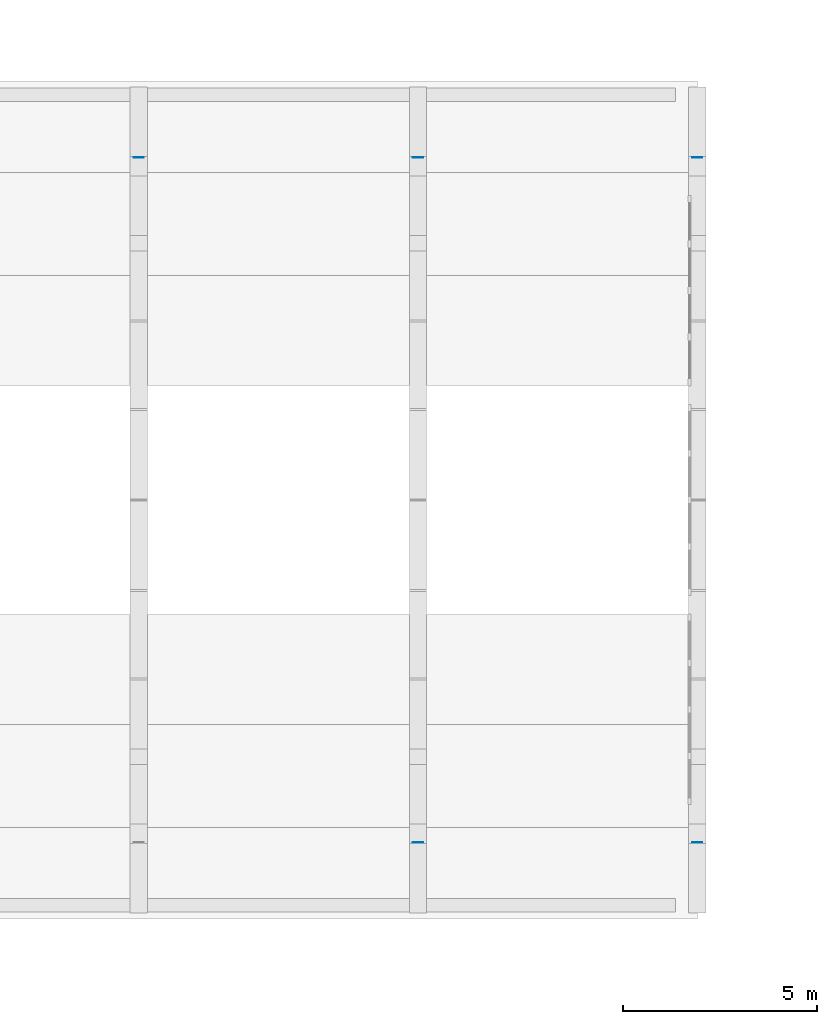
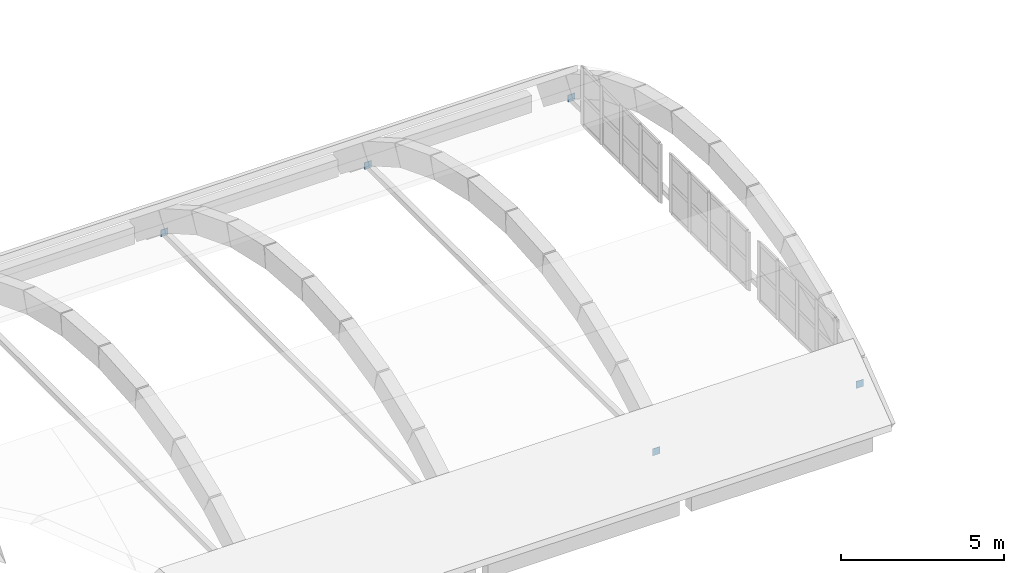
# One storey, part 56 of 73: 5 discrete accessories.
"""IFC4 building model written with IfcOpenShell, lengths in metres."""

from ifc_helpers import new_model, si_unit, derived_unit, direction, frame, origin, origin_2d, place, context, subcontext, project, spatial, rectangle, extrude, material, type_object, element, save


model = new_model("IFC4")

# Units and contexts
model_context = context("Model", 3, precision=1e-05, world=origin(), true_north=direction((0.0, 1.0)))
body_context = subcontext(model_context, "Body", "Model", "MODEL_VIEW")
ifc_project = project(units=[si_unit("LENGTHUNIT", "METRE"), si_unit("AREAUNIT", "SQUARE_METRE"), si_unit("VOLUMEUNIT", "CUBIC_METRE"), si_unit("PLANEANGLEUNIT", "RADIAN"), si_unit("MASSUNIT", "GRAM", prefix="KILO"), derived_unit("THERMALTRANSMITTANCEUNIT", [(si_unit("MASSUNIT", "GRAM", prefix="KILO"), 1), (si_unit("TIMEUNIT", "SECOND"), -3), (si_unit("THERMODYNAMICTEMPERATUREUNIT", "KELVIN"), -1)])], contexts=[model_context])

# Site, building, storey
site_placement = place(None, origin())
site = spatial("IfcSite", under=ifc_project, at=site_placement, CompositionType="ELEMENT")
building_placement = place(site_placement, origin())
building = spatial("IfcBuilding", under=site, at=building_placement, Name="Ochrekiln Boulevard Commons", CompositionType="ELEMENT")
storey_placement = place(building_placement, frame((0.0, 0.0, 8.574951171875)))
storey = spatial("IfcBuildingStorey", under=building, at=storey_placement, Name="L02", CompositionType="ELEMENT", Elevation=8.574951171875)

# Discrete accessories
ifc_material = material(Name="Steel A992 Grade 50", Category="steel")
discrete_accessory_type = type_object("IfcDiscreteAccessoryType", Name="ACC-GUS-PLATE", PredefinedType="BRACKET", material=ifc_material)
for number, where, z_axis, x_axis, name in (
    (1, (93.60009765625, 55.6298828125, 0.19482421875), (0.0, 0.0, 1.0), (1.0, 0.0, 0.0), "Vault Tie Rod 6N 20 mm Seal End-Cap Connection Plate"),
    (2, (100.800048828125, 37.969970703125, 0.19482421875), (0.0, 0.0, 1.0), (1.0, 0.0, 0.0), "Vault Tie Rod 7S 20 mm Seal End-Cap Connection Plate"),
    (3, (100.800048828125, 55.6298828125, 0.19482421875), (0.0, 0.0, 1.0), (1.0, 0.0, 0.0), "Vault Tie Rod 7N 20 mm Seal End-Cap Connection Plate"),
    (4, (108.0, 37.969970703125, 0.19482421875), (0.0, 0.0, 1.0), (1.0, 0.0, 0.0), "Vault Tie Rod 8S 20 mm Seal End-Cap Connection Plate"),
    (5, (108.0, 55.6298828125, 0.19482421875), (0.0, 0.0, 1.0), (1.0, 0.0, 0.0), "Vault Tie Rod 8N 20 mm Seal End-Cap Connection Plate"),
):
    element("IfcDiscreteAccessory", number, at=place(storey_placement, frame(where, z_axis=z_axis, x_axis=x_axis)), inside=storey, type_object=discrete_accessory_type, Name=name, PredefinedType="BRACKET", context=body_context, shape_type="SweptSolid", body=[
        extrude(rectangle(XDim=0.260009765625, YDim=0.02001953125, at=origin_2d()), origin(), (0.0, 0.0, 1.0), 0.260009765625),
    ])

save(model, "model.ifc")
